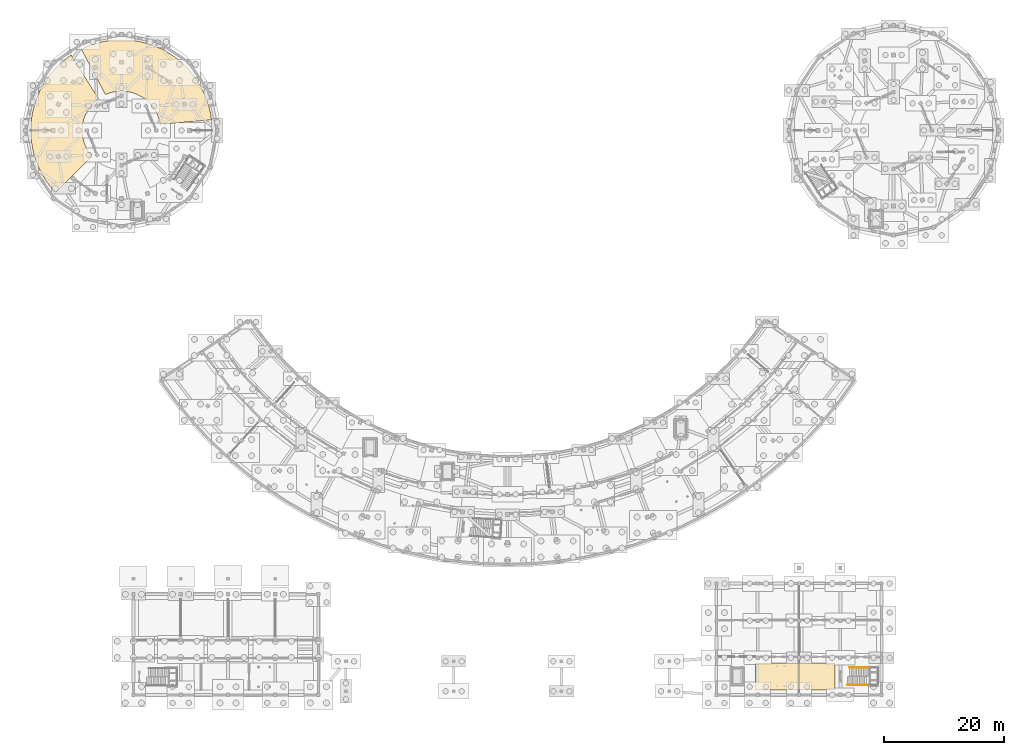
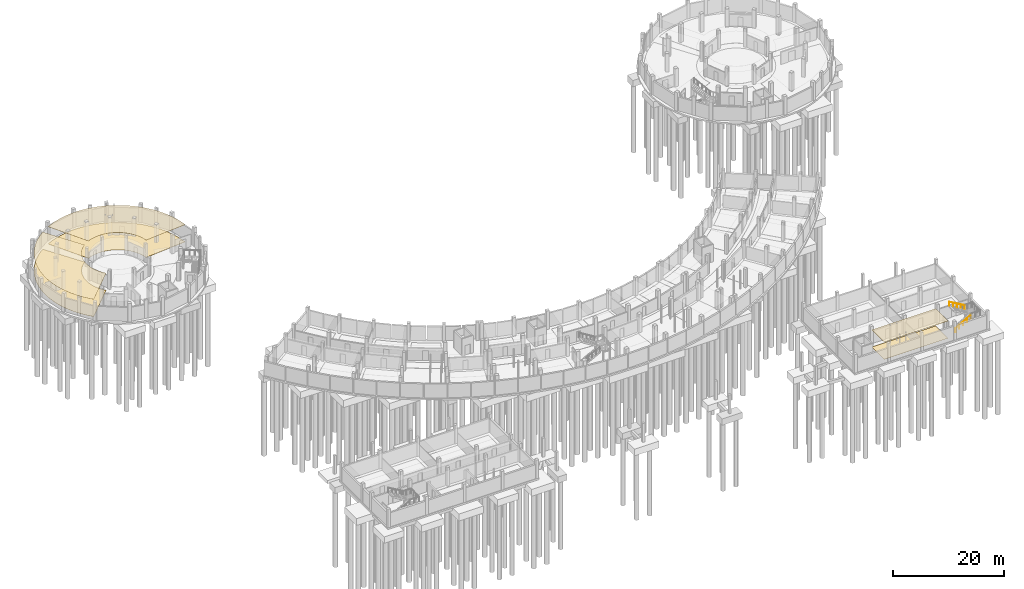
# One storey, part 53 of 58: 6 coverings, 2 railings.
"""IFC4 building model written with IfcOpenShell, lengths in metres."""

from ifc_helpers import new_model, si_unit, direction, frame, origin, origin_2d, place, context, subcontext, project, spatial, polyline, circle, outline, extrude, material, layer, layer_set, type_object, element, save


model = new_model("IFC4")

# Units and contexts
model_context = context("Model", 3, precision=1e-05, world=origin(), true_north=direction((0.0, 1.0)))
body_context = subcontext(model_context, "Body", "Model", "MODEL_VIEW")
ifc_project = project(units=[si_unit("LENGTHUNIT", "METRE"), si_unit("AREAUNIT", "SQUARE_METRE"), si_unit("VOLUMEUNIT", "CUBIC_METRE"), si_unit("PLANEANGLEUNIT", "RADIAN"), si_unit("MASSUNIT", "GRAM", prefix="KILO")], contexts=[model_context])

# Site, building, storey
site_placement = place(None, origin())
site = spatial("IfcSite", under=ifc_project, at=site_placement, CompositionType="ELEMENT")
building_placement = place(site_placement, origin())
building = spatial("IfcBuilding", under=site, at=building_placement, Name="Caldaven Crescent School", CompositionType="ELEMENT")
storey_placement = place(building_placement, frame((0.0, 0.0, -4.080078125)))
storey = spatial("IfcBuildingStorey", under=building, at=storey_placement, Name="B1", CompositionType="ELEMENT", Elevation=-4.080078125)

# Coverings
ifc_material_1 = material(Name="Perforated Pino Radiata acoustic timber baffle ceiling", Category="wood")
ifc_layer_1 = layer(ifc_material_1, 0.030029296875)
ifc_layer_set_1 = layer_set([ifc_layer_1], Name="Perforated Pino Radiata acoustic timber baffle ceiling")
covering_type_1 = type_object("IfcCoveringType", Name="COV-CLG1", PredefinedType="CEILING", material=ifc_layer_set_1)
covering_1_placement = place(storey_placement, frame((0.0, 0.0, 3.7900390625)))
element("IfcCovering", 1, at=covering_1_placement, inside=storey, type_object=covering_type_1, Name="CLG-B1-016", PredefinedType="CEILING", context=body_context, shape_type="SweptSolid", body=[
    extrude(outline(polyline([(12.474609375, 88.111083984375), (12.423583984375, 88.1640625), (12.072998046875, 88.552978515625), (11.73583984375, 88.9541015625), (11.4130859375, 89.3662109375), (11.1044921875, 89.78955078125), (10.810791015625, 90.22314453125), (10.5322265625, 90.666748046875), (10.269287109375, 91.11962890625), (10.022216796875, 91.581298828125), (9.791015625, 92.05126953125), (9.576416015625, 92.529052734375), (9.37841796875, 93.013916015625), (9.197021484375, 93.505126953125), (9.032958984375, 94.002685546875), (8.88623046875, 94.50537109375), (8.7568359375, 95.0126953125), (8.64501953125, 95.5244140625), (8.55126953125, 96.039794921875), (8.47509765625, 96.557861328125), (8.4169921875, 97.078369140625), (8.376708984375, 97.6005859375), (8.354736328125, 98.123779296875), (8.3505859375, 98.6474609375), (8.364990234375, 99.1708984375), (8.397216796875, 99.693603515625), (8.447509765625, 100.215087890625), (8.515625, 100.734130859375), (8.601806640625, 101.2509765625), (8.705810546875, 101.76416015625), (8.82763671875, 102.2734375), (8.966796875, 102.7783203125), (9.123291015625, 103.2783203125), (9.297119140625, 103.772216796875), (9.48779296875, 104.260009765625), (9.6953125, 104.740966796875), (9.919189453125, 105.21435546875), (10.159423828125, 105.6796875), (10.41552734375, 106.13671875), (10.687255859375, 106.584228515625), (10.974365234375, 107.022216796875), (11.2763671875, 107.4501953125), (11.593017578125, 107.8671875), (11.924072265625, 108.273193359375), (12.268798828125, 108.66748046875), (12.626708984375, 109.049560546875), (12.998046875, 109.419189453125), (13.381591796875, 109.775634765625), (13.77734375, 110.118408203125), (14.184814453125, 110.44775390625), (14.603271484375, 110.762451171875), (15.032470703125, 111.062744140625), (15.09423828125, 111.102783203125), (19.65576171875, 103.802978515625), (19.647216796875, 103.797119140625), (19.478759765625, 103.670166015625), (19.466552734375, 103.66064453125), (19.302490234375, 103.528076171875), (19.29052734375, 103.518310546875), (19.131103515625, 103.380126953125), (19.11962890625, 103.36962890625), (18.965087890625, 103.226318359375), (18.953857421875, 103.21533203125), (18.804443359375, 103.06640625), (18.793701171875, 103.055419921875), (18.6494140625, 102.901611328125), (18.638916015625, 102.889892578125), (18.500244140625, 102.731201171875), (18.489990234375, 102.71923828125), (18.35693359375, 102.555908203125), (18.347412109375, 102.543701171875), (18.219970703125, 102.375732421875), (18.210693359375, 102.36328125), (18.089111328125, 102.19091796875), (18.080322265625, 102.177978515625), (17.964599609375, 102.001708984375), (17.95654296875, 101.98876953125), (17.846923828125, 101.80859375), (17.839111328125, 101.794921875), (17.736083984375, 101.611083984375), (17.728515625, 101.597412109375), (17.6318359375, 101.409912109375), (17.625, 101.39599609375), (17.534912109375, 101.205322265625), (17.5283203125, 101.19091796875), (17.44482421875, 100.997314453125), (17.43896484375, 100.983154296875), (17.3623046875, 100.78662109375), (17.356689453125, 100.772216796875), (17.286865234375, 100.5732421875), (17.281982421875, 100.558349609375), (17.218994140625, 100.357177734375), (17.214599609375, 100.34228515625), (17.158447265625, 100.138916015625), (17.154541015625, 100.1240234375), (17.105712890625, 99.9189453125), (17.102294921875, 99.90380859375), (17.060302734375, 99.697021484375), (17.0576171875, 99.681640625), (17.022705078125, 99.4736328125), (17.0205078125, 99.458251953125), (16.992919921875, 99.249267578125), (16.9912109375, 99.233642578125), (16.97119140625, 99.023681640625), (16.969970703125, 99.00830078125), (16.956787109375, 98.798095703125), (16.956298828125, 98.782470703125), (16.950439453125, 98.571533203125), (16.9501953125, 98.555908203125), (16.951904296875, 98.34521484375), (16.952392578125, 98.32958984375), (16.961181640625, 98.118896484375), (16.962158203125, 98.103515625), (16.978271484375, 97.893310546875), (16.979736328125, 97.877685546875), (17.003173828125, 97.668212890625), (17.005126953125, 97.652587890625), (17.035888671875, 97.44384765625), (17.038330078125, 97.4287109375), (17.076171875, 97.22119140625), (17.0791015625, 97.205810546875), (17.124267578125, 97.0), (17.127685546875, 96.984619140625), (17.179931640625, 96.780517578125), (17.183837890625, 96.765380859375), (17.242919921875, 96.56298828125), (17.247802734375, 96.548095703125), (17.313720703125, 96.347900390625), (17.31884765625, 96.33349609375), (17.3916015625, 96.135498046875), (17.3974609375, 96.12060546875), (17.477294921875, 95.925537109375), (17.4833984375, 95.911376953125), (17.569580078125, 95.718994140625), (17.576416015625, 95.704833984375), (17.66943359375, 95.515625), (17.676513671875, 95.501953125), (17.77587890625, 95.31591796875), (17.78369140625, 95.30224609375), (17.8896484375, 95.1201171875), (17.897705078125, 95.106689453125), (18.009765625, 94.92822265625), (18.018310546875, 94.9150390625), (18.13671875, 94.740478515625), (18.1455078125, 94.727783203125), (18.26953125, 94.557373046875), (18.279052734375, 94.544921875), (18.408935546875, 94.37890625), (18.4189453125, 94.36669921875), (18.5546875, 94.205322265625), (18.561279296875, 94.19775390625), (12.474609375, 88.111083984375)])), origin(), (0.0, 0.0, 1.0), 0.030029296875),
])
ifc_layer_2 = layer(ifc_material_1, 0.0458984375)
ifc_layer_set_2 = layer_set([ifc_layer_2], Name="Perforated Pino Radiata acoustic timber baffle ceiling")
covering_type_2 = type_object("IfcCoveringType", Name="COV-CLG3", PredefinedType="CEILING", material=ifc_layer_set_2)
covering_2_placement = place(storey_placement, frame((0.0, 0.0, 3.774169921875)))
element("IfcCovering", 2, at=covering_2_placement, inside=storey, type_object=covering_type_2, Name="CLG-B1-030", PredefinedType="CEILING", context=body_context, shape_type="SweptSolid", body=[
    extrude(outline(polyline([(142.75, 9.550048828125), (142.75, 5.050048828125), (129.449951171875, 5.050048828125), (129.449951171875, 9.550048828125), (142.75, 9.550048828125)])), origin(), (0.0, 0.0, 1.0), 0.0458984375),
])
ifc_layer_3 = layer(ifc_material_1, 0.053955078125)
ifc_layer_set_3 = layer_set([ifc_layer_3], Name="Perforated Pino Radiata acoustic timber baffle ceiling")
covering_type_3 = type_object("IfcCoveringType", Name="COV-CLG4", PredefinedType="CEILING", material=ifc_layer_set_3)
covering_3_placement = place(storey_placement, frame((0.0, 0.0, 3.76611328125)))
element("IfcCovering", 3, at=covering_3_placement, inside=storey, type_object=covering_type_3, Name="CLG-B1-015", PredefinedType="CEILING", context=body_context, shape_type="SweptSolid", body=[
    extrude(outline(polyline([(16.78857421875, 112.080810546875), (16.863037109375, 112.11865234375), (17.3466796875, 112.343994140625), (17.837890625, 112.552001953125), (18.336181640625, 112.74267578125), (18.8408203125, 112.915771484375), (19.351318359375, 113.07080078125), (19.866943359375, 113.2080078125), (20.38720703125, 113.32666015625), (20.9111328125, 113.427001953125), (21.438232421875, 113.509033203125), (21.968017578125, 113.572265625), (22.499755859375, 113.616943359375), (23.03271484375, 113.642578125), (23.566162109375, 113.64990234375), (24.099609375, 113.63818359375), (24.632080078125, 113.607666015625), (25.163330078125, 113.558349609375), (25.692626953125, 113.490478515625), (26.218994140625, 113.40380859375), (26.7421875, 113.299072265625), (27.26123046875, 113.175537109375), (27.775634765625, 113.033935546875), (28.284912109375, 112.87451171875), (28.787841796875, 112.697021484375), (29.284423828125, 112.502197265625), (29.77392578125, 112.289794921875), (30.255615234375, 112.060302734375), (30.72900390625, 111.81396484375), (31.193359375, 111.55126953125), (31.648193359375, 111.272216796875), (32.0927734375, 110.977294921875), (32.526611328125, 110.667236328125), (32.949462890625, 110.341796875), (33.360595703125, 110.001708984375), (33.759521484375, 109.6474609375), (34.1455078125, 109.279296875), (34.5185546875, 108.897705078125), (34.8779296875, 108.503173828125), (35.222900390625, 108.096435546875), (35.5537109375, 107.677734375), (35.869384765625, 107.24755859375), (36.169677734375, 106.806640625), (36.454345703125, 106.355224609375), (36.722900390625, 105.894287109375), (36.97509765625, 105.42431640625), (37.21044921875, 104.9453125), (37.428955078125, 104.458740234375), (37.630126953125, 103.964599609375), (37.813720703125, 103.46337890625), (37.9794921875, 102.95654296875), (38.127685546875, 102.44384765625), (38.25732421875, 101.926513671875), (38.368896484375, 101.404541015625), (38.4619140625, 100.87939453125), (38.536376953125, 100.35107421875), (38.545166015625, 100.26806640625), (29.97021484375, 99.517578125), (29.969970703125, 99.520751953125), (29.96728515625, 99.53662109375), (29.929931640625, 99.748046875), (29.927001953125, 99.763427734375), (29.882080078125, 99.9736328125), (29.87841796875, 99.989013671875), (29.826171875, 100.197265625), (29.822021484375, 100.212890625), (29.762451171875, 100.419189453125), (29.7578125, 100.434326171875), (29.69091796875, 100.638427734375), (29.685791015625, 100.6533203125), (29.61181640625, 100.85498046875), (29.606201171875, 100.869873046875), (29.525146484375, 101.06884765625), (29.518798828125, 101.08349609375), (29.430908203125, 101.279541015625), (29.42431640625, 101.293701171875), (29.329345703125, 101.486572265625), (29.322265625, 101.50048828125), (29.220703125, 101.68994140625), (29.212890625, 101.703857421875), (29.104736328125, 101.889404296875), (29.096435546875, 101.903076171875), (28.98193359375, 102.084716796875), (28.97314453125, 102.097900390625), (28.852294921875, 102.275390625), (28.84326171875, 102.288330078125), (28.716064453125, 102.46142578125), (28.70654296875, 102.47412109375), (28.573486328125, 102.642578125), (28.563232421875, 102.655029296875), (28.42431640625, 102.81884765625), (28.413818359375, 102.830810546875), (28.26904296875, 102.989501953125), (28.25830078125, 103.0009765625), (28.1083984375, 103.154541015625), (28.096923828125, 103.166015625), (27.94140625, 103.314208984375), (27.9296875, 103.32470703125), (27.769287109375, 103.467529296875), (27.757080078125, 103.477783203125), (27.591552734375, 103.61474609375), (27.5791015625, 103.624755859375), (27.408935546875, 103.755615234375), (27.396240234375, 103.76513671875), (27.221435546875, 103.889892578125), (27.20849609375, 103.89892578125), (27.029296875, 104.017578125), (27.01611328125, 104.026123046875), (26.8330078125, 104.138427734375), (26.8193359375, 104.146484375), (26.63232421875, 104.25244140625), (26.618408203125, 104.260009765625), (26.427734375, 104.359130859375), (26.413818359375, 104.3662109375), (26.2197265625, 104.45849609375), (26.205322265625, 104.465087890625), (26.00830078125, 104.550537109375), (25.99365234375, 104.556640625), (25.793701171875, 104.63525390625), (25.77880859375, 104.640869140625), (25.576171875, 104.712158203125), (25.56103515625, 104.71728515625), (25.356201171875, 104.781494140625), (25.341064453125, 104.785888671875), (25.1337890625, 104.843017578125), (25.118408203125, 104.8466796875), (24.909423828125, 104.896484375), (24.893798828125, 104.89990234375), (24.68310546875, 104.942138671875), (24.66796875, 104.94482421875), (24.455810546875, 104.979736328125), (24.43994140625, 104.982177734375), (24.22705078125, 105.009521484375), (24.211181640625, 105.01123046875), (23.997314453125, 105.031005859375), (23.981689453125, 105.0322265625), (23.76708984375, 105.04443359375), (23.751220703125, 105.045166015625), (23.536376953125, 105.0498046875), (23.520751953125, 105.0498046875), (23.305908203125, 105.047119140625), (23.2900390625, 105.046630859375), (23.075439453125, 105.0361328125), (23.0595703125, 105.03515625), (22.845458984375, 105.01708984375), (22.830078125, 105.015380859375), (22.61669921875, 104.989990234375), (22.600830078125, 104.988037109375), (22.388427734375, 104.955078125), (22.372802734375, 104.9521484375), (22.161865234375, 104.91162109375), (22.146484375, 104.908447265625), (21.93701171875, 104.860595703125), (21.921630859375, 104.85693359375), (21.714111328125, 104.8017578125), (21.698974609375, 104.79736328125), (21.493408203125, 104.735107421875), (21.47802734375, 104.72998046875), (21.27490234375, 104.660400390625), (21.260009765625, 104.655029296875), (21.0595703125, 104.578369140625), (21.044677734375, 104.572265625), (20.846923828125, 104.488525390625), (20.83251953125, 104.482177734375), (20.82958984375, 104.480712890625), (16.78857421875, 112.080810546875)])), origin(), (0.0, 0.0, 1.0), 0.053955078125),
])
ifc_material_2 = material(Name="Polished terrazzo and acoustic linoleum flooring")
ifc_layer_4 = layer(ifc_material_2, 0.02001953125)
ifc_layer_set_4 = layer_set([ifc_layer_4], Name="Polished terrazzo and acoustic linoleum flooring")
covering_type_4 = type_object("IfcCoveringType", Name="COV-FLR1", PredefinedType="FLOORING", material=ifc_layer_set_4)
covering_4_placement = place(storey_placement, origin())
element("IfcCovering", 4, at=covering_4_placement, inside=storey, type_object=covering_type_4, Name="FLR-B1-015", PredefinedType="FLOORING", context=body_context, shape_type="SweptSolid", body=[
    extrude(outline(polyline([(20.82958984375, 104.480712890625), (16.78857421875, 112.080810546875), (16.863037109375, 112.11865234375), (17.3466796875, 112.343994140625), (17.837890625, 112.552001953125), (18.336181640625, 112.74267578125), (18.8408203125, 112.915771484375), (19.351318359375, 113.07080078125), (19.866943359375, 113.2080078125), (20.38720703125, 113.32666015625), (20.9111328125, 113.427001953125), (21.438232421875, 113.509033203125), (21.968017578125, 113.572265625), (22.499755859375, 113.616943359375), (23.03271484375, 113.642578125), (23.566162109375, 113.64990234375), (24.099609375, 113.63818359375), (24.632080078125, 113.607666015625), (25.163330078125, 113.558349609375), (25.692626953125, 113.490478515625), (26.218994140625, 113.40380859375), (26.7421875, 113.299072265625), (27.26123046875, 113.175537109375), (27.775634765625, 113.033935546875), (28.284912109375, 112.87451171875), (28.787841796875, 112.697021484375), (29.284423828125, 112.502197265625), (29.77392578125, 112.289794921875), (30.255615234375, 112.060302734375), (30.72900390625, 111.81396484375), (31.193359375, 111.55126953125), (31.648193359375, 111.272216796875), (32.0927734375, 110.977294921875), (32.526611328125, 110.667236328125), (32.949462890625, 110.341796875), (33.360595703125, 110.001708984375), (33.759521484375, 109.6474609375), (34.1455078125, 109.279296875), (34.5185546875, 108.897705078125), (34.8779296875, 108.503173828125), (35.222900390625, 108.096435546875), (35.5537109375, 107.677734375), (35.869384765625, 107.24755859375), (36.169677734375, 106.806640625), (36.454345703125, 106.355224609375), (36.722900390625, 105.894287109375), (36.97509765625, 105.42431640625), (37.21044921875, 104.9453125), (37.428955078125, 104.458740234375), (37.630126953125, 103.964599609375), (37.813720703125, 103.46337890625), (37.9794921875, 102.95654296875), (38.127685546875, 102.44384765625), (38.25732421875, 101.926513671875), (38.368896484375, 101.404541015625), (38.4619140625, 100.87939453125), (38.536376953125, 100.35107421875), (38.545166015625, 100.26806640625), (29.97021484375, 99.517578125), (29.969970703125, 99.520751953125), (29.96728515625, 99.53662109375), (29.929931640625, 99.748046875), (29.927001953125, 99.763427734375), (29.882080078125, 99.9736328125), (29.87841796875, 99.989013671875), (29.826171875, 100.197265625), (29.822021484375, 100.212890625), (29.762451171875, 100.419189453125), (29.7578125, 100.434326171875), (29.69091796875, 100.638427734375), (29.685791015625, 100.6533203125), (29.61181640625, 100.85498046875), (29.606201171875, 100.869873046875), (29.525146484375, 101.06884765625), (29.518798828125, 101.08349609375), (29.430908203125, 101.279541015625), (29.42431640625, 101.293701171875), (29.329345703125, 101.486572265625), (29.322265625, 101.50048828125), (29.220703125, 101.68994140625), (29.212890625, 101.703857421875), (29.104736328125, 101.889404296875), (29.096435546875, 101.903076171875), (28.98193359375, 102.084716796875), (28.97314453125, 102.097900390625), (28.852294921875, 102.275390625), (28.84326171875, 102.288330078125), (28.716064453125, 102.46142578125), (28.70654296875, 102.47412109375), (28.573486328125, 102.642578125), (28.563232421875, 102.655029296875), (28.42431640625, 102.81884765625), (28.413818359375, 102.830810546875), (28.26904296875, 102.989501953125), (28.25830078125, 103.0009765625), (28.1083984375, 103.154541015625), (28.096923828125, 103.166015625), (27.94140625, 103.314208984375), (27.9296875, 103.32470703125), (27.769287109375, 103.467529296875), (27.757080078125, 103.477783203125), (27.591552734375, 103.61474609375), (27.5791015625, 103.624755859375), (27.408935546875, 103.755615234375), (27.396240234375, 103.76513671875), (27.221435546875, 103.889892578125), (27.20849609375, 103.89892578125), (27.029296875, 104.017578125), (27.01611328125, 104.026123046875), (26.8330078125, 104.138427734375), (26.8193359375, 104.146484375), (26.63232421875, 104.25244140625), (26.618408203125, 104.260009765625), (26.427734375, 104.359130859375), (26.413818359375, 104.3662109375), (26.2197265625, 104.45849609375), (26.205322265625, 104.465087890625), (26.00830078125, 104.550537109375), (25.99365234375, 104.556640625), (25.793701171875, 104.63525390625), (25.77880859375, 104.640869140625), (25.576171875, 104.712158203125), (25.56103515625, 104.71728515625), (25.356201171875, 104.781494140625), (25.341064453125, 104.785888671875), (25.1337890625, 104.843017578125), (25.118408203125, 104.8466796875), (24.909423828125, 104.896484375), (24.893798828125, 104.89990234375), (24.68310546875, 104.942138671875), (24.66796875, 104.94482421875), (24.455810546875, 104.979736328125), (24.43994140625, 104.982177734375), (24.22705078125, 105.009521484375), (24.211181640625, 105.01123046875), (23.997314453125, 105.031005859375), (23.981689453125, 105.0322265625), (23.76708984375, 105.04443359375), (23.751220703125, 105.045166015625), (23.536376953125, 105.0498046875), (23.520751953125, 105.0498046875), (23.305908203125, 105.047119140625), (23.2900390625, 105.046630859375), (23.075439453125, 105.0361328125), (23.0595703125, 105.03515625), (22.845458984375, 105.01708984375), (22.830078125, 105.015380859375), (22.61669921875, 104.989990234375), (22.600830078125, 104.988037109375), (22.388427734375, 104.955078125), (22.372802734375, 104.9521484375), (22.161865234375, 104.91162109375), (22.146484375, 104.908447265625), (21.93701171875, 104.860595703125), (21.921630859375, 104.85693359375), (21.714111328125, 104.8017578125), (21.698974609375, 104.79736328125), (21.493408203125, 104.735107421875), (21.47802734375, 104.72998046875), (21.27490234375, 104.660400390625), (21.260009765625, 104.655029296875), (21.0595703125, 104.578369140625), (21.044677734375, 104.572265625), (20.846923828125, 104.488525390625), (20.83251953125, 104.482177734375), (20.82958984375, 104.480712890625)])), origin(), (0.0, 0.0, 1.0), 0.02001953125),
])
covering_5_placement = place(storey_placement, origin())
element("IfcCovering", 5, at=covering_5_placement, inside=storey, type_object=covering_type_4, Name="FLR-B1-030", PredefinedType="FLOORING", context=body_context, shape_type="SweptSolid", body=[
    extrude(outline(polyline([(129.449951171875, 9.550048828125), (142.75, 9.550048828125), (142.75, 5.050048828125), (129.449951171875, 5.050048828125), (129.449951171875, 9.550048828125)])), origin(), (0.0, 0.0, 1.0), 0.02001953125),
])
ifc_layer_5 = layer(ifc_material_2, 0.02587890625)
ifc_layer_set_5 = layer_set([ifc_layer_5], Name="Polished terrazzo and acoustic linoleum flooring")
covering_type_5 = type_object("IfcCoveringType", Name="COV-FLR2", PredefinedType="FLOORING", material=ifc_layer_set_5)
covering_6_placement = place(storey_placement, origin())
element("IfcCovering", 6, at=covering_6_placement, inside=storey, type_object=covering_type_5, Name="FLR-B1-016", PredefinedType="FLOORING", context=body_context, shape_type="SweptSolid", body=[
    extrude(outline(polyline([(18.561279296875, 94.19775390625), (12.474609375, 88.111083984375), (12.423583984375, 88.1640625), (12.072998046875, 88.552978515625), (11.73583984375, 88.9541015625), (11.4130859375, 89.3662109375), (11.1044921875, 89.78955078125), (10.810791015625, 90.22314453125), (10.5322265625, 90.666748046875), (10.269287109375, 91.11962890625), (10.022216796875, 91.581298828125), (9.791015625, 92.05126953125), (9.576416015625, 92.529052734375), (9.37841796875, 93.013916015625), (9.197021484375, 93.505126953125), (9.032958984375, 94.002685546875), (8.88623046875, 94.50537109375), (8.7568359375, 95.0126953125), (8.64501953125, 95.5244140625), (8.55126953125, 96.039794921875), (8.47509765625, 96.557861328125), (8.4169921875, 97.078369140625), (8.376708984375, 97.6005859375), (8.354736328125, 98.123779296875), (8.3505859375, 98.6474609375), (8.364990234375, 99.1708984375), (8.397216796875, 99.693603515625), (8.447509765625, 100.215087890625), (8.515625, 100.734130859375), (8.601806640625, 101.2509765625), (8.705810546875, 101.76416015625), (8.82763671875, 102.2734375), (8.966796875, 102.7783203125), (9.123291015625, 103.2783203125), (9.297119140625, 103.772216796875), (9.48779296875, 104.260009765625), (9.6953125, 104.740966796875), (9.919189453125, 105.21435546875), (10.159423828125, 105.6796875), (10.41552734375, 106.13671875), (10.687255859375, 106.584228515625), (10.974365234375, 107.022216796875), (11.2763671875, 107.4501953125), (11.593017578125, 107.8671875), (11.924072265625, 108.273193359375), (12.268798828125, 108.66748046875), (12.626708984375, 109.049560546875), (12.998046875, 109.419189453125), (13.381591796875, 109.775634765625), (13.77734375, 110.118408203125), (14.184814453125, 110.44775390625), (14.603271484375, 110.762451171875), (15.032470703125, 111.062744140625), (15.09423828125, 111.102783203125), (19.65576171875, 103.802978515625), (19.647216796875, 103.797119140625), (19.478759765625, 103.670166015625), (19.466552734375, 103.66064453125), (19.302490234375, 103.528076171875), (19.29052734375, 103.518310546875), (19.131103515625, 103.380126953125), (19.11962890625, 103.36962890625), (18.965087890625, 103.226318359375), (18.953857421875, 103.21533203125), (18.804443359375, 103.06640625), (18.793701171875, 103.055419921875), (18.6494140625, 102.901611328125), (18.638916015625, 102.889892578125), (18.500244140625, 102.731201171875), (18.489990234375, 102.71923828125), (18.35693359375, 102.555908203125), (18.347412109375, 102.543701171875), (18.219970703125, 102.375732421875), (18.210693359375, 102.36328125), (18.089111328125, 102.19091796875), (18.080322265625, 102.177978515625), (17.964599609375, 102.001708984375), (17.95654296875, 101.98876953125), (17.846923828125, 101.80859375), (17.839111328125, 101.794921875), (17.736083984375, 101.611083984375), (17.728515625, 101.597412109375), (17.6318359375, 101.409912109375), (17.625, 101.39599609375), (17.534912109375, 101.205322265625), (17.5283203125, 101.19091796875), (17.44482421875, 100.997314453125), (17.43896484375, 100.983154296875), (17.3623046875, 100.78662109375), (17.356689453125, 100.772216796875), (17.286865234375, 100.5732421875), (17.281982421875, 100.558349609375), (17.218994140625, 100.357177734375), (17.214599609375, 100.34228515625), (17.158447265625, 100.138916015625), (17.154541015625, 100.1240234375), (17.105712890625, 99.9189453125), (17.102294921875, 99.90380859375), (17.060302734375, 99.697021484375), (17.0576171875, 99.681640625), (17.022705078125, 99.4736328125), (17.0205078125, 99.458251953125), (16.992919921875, 99.249267578125), (16.9912109375, 99.233642578125), (16.97119140625, 99.023681640625), (16.969970703125, 99.00830078125), (16.956787109375, 98.798095703125), (16.956298828125, 98.782470703125), (16.950439453125, 98.571533203125), (16.9501953125, 98.555908203125), (16.951904296875, 98.34521484375), (16.952392578125, 98.32958984375), (16.961181640625, 98.118896484375), (16.962158203125, 98.103515625), (16.978271484375, 97.893310546875), (16.979736328125, 97.877685546875), (17.003173828125, 97.668212890625), (17.005126953125, 97.652587890625), (17.035888671875, 97.44384765625), (17.038330078125, 97.4287109375), (17.076171875, 97.22119140625), (17.0791015625, 97.205810546875), (17.124267578125, 97.0), (17.127685546875, 96.984619140625), (17.179931640625, 96.780517578125), (17.183837890625, 96.765380859375), (17.242919921875, 96.56298828125), (17.247802734375, 96.548095703125), (17.313720703125, 96.347900390625), (17.31884765625, 96.33349609375), (17.3916015625, 96.135498046875), (17.3974609375, 96.12060546875), (17.477294921875, 95.925537109375), (17.4833984375, 95.911376953125), (17.569580078125, 95.718994140625), (17.576416015625, 95.704833984375), (17.66943359375, 95.515625), (17.676513671875, 95.501953125), (17.77587890625, 95.31591796875), (17.78369140625, 95.30224609375), (17.8896484375, 95.1201171875), (17.897705078125, 95.106689453125), (18.009765625, 94.92822265625), (18.018310546875, 94.9150390625), (18.13671875, 94.740478515625), (18.1455078125, 94.727783203125), (18.26953125, 94.557373046875), (18.279052734375, 94.544921875), (18.408935546875, 94.37890625), (18.4189453125, 94.36669921875), (18.5546875, 94.205322265625), (18.561279296875, 94.19775390625)])), origin(), (0.0, 0.0, 1.0), 0.026123046875),
])

# Railings
ifc_material_3 = material(Name="Brushed stainless-steel continuous tubular handrail", Category="steel")
railing_type = type_object("IfcRailingType", Name="RAL-HR1", PredefinedType="HANDRAIL", material=ifc_material_3)
railing_1_placement = place(storey_placement, frame((144.77001953125, 5.844970703125, 0.173095703125)))
element("IfcRailing", 7, at=railing_1_placement, inside=storey, type_object=railing_type, Name="HR-STB4-B1-F1", PredefinedType="HANDRAIL", context=body_context, shape_type="SweptSolid", body=[
    extrude(circle(Radius=0.02392578125, at=origin_2d()), frame((0.0, 0.0, 0.85595703125), z_axis=(0.86270889649, 0.0, 0.505700860111), x_axis=(0.0, 1.0, 0.0)), (0.0, 0.0, 1.0), 3.697509765625),
    extrude(circle(Radius=0.02099609375, at=origin_2d()), origin(), (0.0, 0.0, 1.0), 0.831787109375),
    extrude(circle(Radius=0.02099609375, at=origin_2d()), frame((0.79736328125, 0.0, 0.467529296875)), (0.0, 0.0, 1.0), 0.831787109375),
    extrude(circle(Radius=0.02099609375, at=origin_2d()), frame((1.594970703125, 0.0, 0.93505859375)), (0.0, 0.0, 1.0), 0.831787109375),
    extrude(circle(Radius=0.02099609375, at=origin_2d()), frame((2.392578125, 0.0, 1.40234375)), (0.0, 0.0, 1.0), 0.831787109375),
    extrude(circle(Radius=0.02099609375, at=origin_2d()), frame((3.18994140625, 0.0, 1.869873046875)), (0.0, 0.0, 1.0), 0.831787109375),
])
railing_2_placement = place(storey_placement, frame((148.340087890625, 8.7548828125, 2.213134765625)))
element("IfcRailing", 8, at=railing_2_placement, inside=storey, type_object=railing_type, Name="HR-STB4-B1-F2", PredefinedType="HANDRAIL", context=body_context, shape_type="SweptSolid", body=[
    extrude(circle(Radius=0.02392578125, at=origin_2d()), frame((0.0, 0.0, 0.85595703125), z_axis=(-0.862725780356, 0.0, 0.505672055693), x_axis=(0.0, -1.0, 0.0)), (0.0, 0.0, 1.0), 3.69775390625),
    extrude(circle(Radius=0.02099609375, at=origin_2d()), origin(), (0.0, 0.0, 1.0), 0.831787109375),
    extrude(circle(Radius=0.02099609375, at=origin_2d()), frame((-0.797607421875, 0.0, 0.467529296875)), (0.0, 0.0, 1.0), 0.831787109375),
    extrude(circle(Radius=0.02099609375, at=origin_2d()), frame((-1.59521484375, 0.0, 0.93505859375)), (0.0, 0.0, 1.0), 0.831787109375),
    extrude(circle(Radius=0.02099609375, at=origin_2d()), frame((-2.392578125, 0.0, 1.40234375)), (0.0, 0.0, 1.0), 0.831787109375),
    extrude(circle(Radius=0.02099609375, at=origin_2d()), frame((-3.190185546875, 0.0, 1.869873046875)), (0.0, 0.0, 1.0), 0.831787109375),
])

save(model, "model.ifc")
